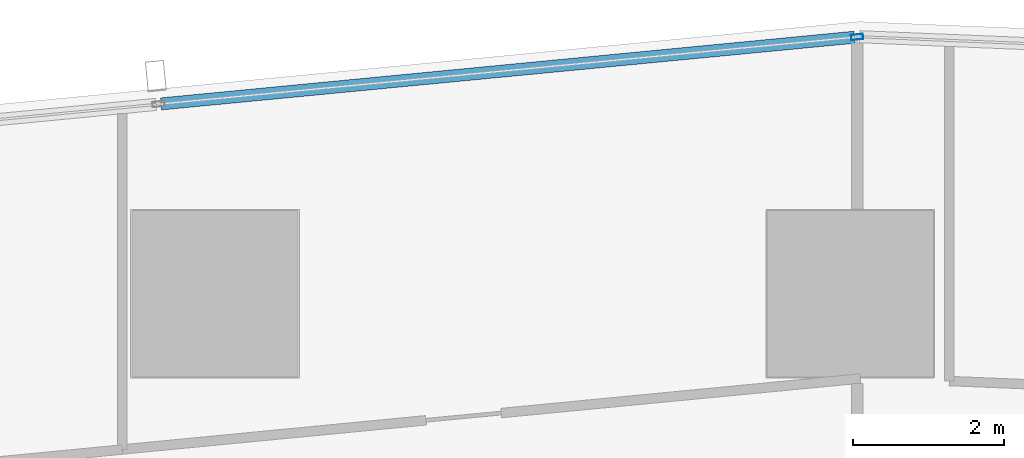
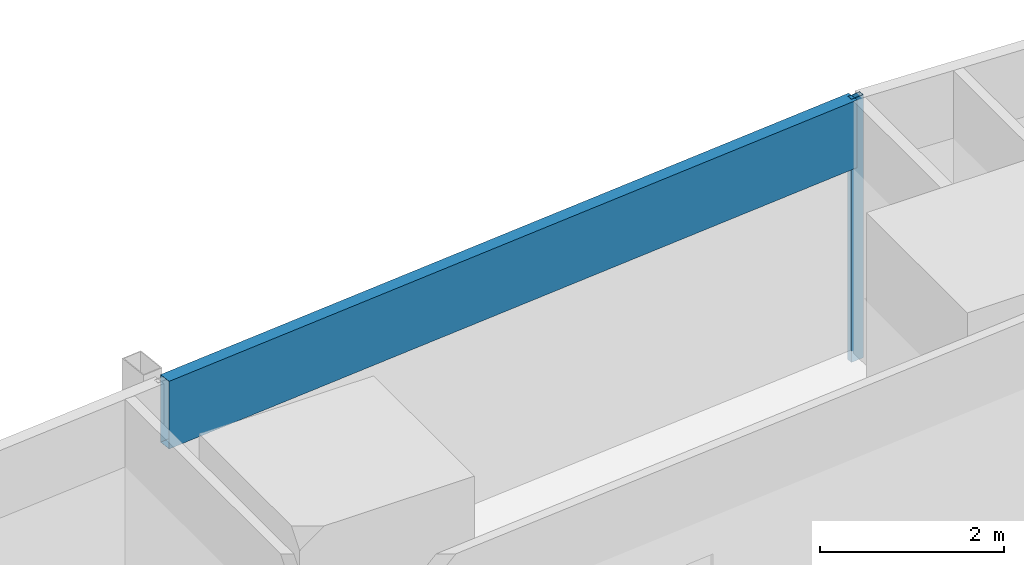
# One storey, part 17 of 45: 2 members, 1 element without a shape of its own.
"""IFC4 building model written with IfcOpenShell, lengths in metres."""

import ifcopenshell
import ifcopenshell.guid

model = None  # the IFC model being written
_history = None  # IfcOwnerHistory: only IFC2X3 demands one
_inside = {}  # id of a spatial element -> (the spatial element, [elements in it])
_under = {}  # id of a project, library or spatial element -> (it, [spatial elements below it])
_declared = {}  # id of a project -> (the project, [libraries it declares])
_typed = {}  # id of a type object -> (the type object, [elements of that type])
_made_of = {}  # id of a material, layer set ... -> (it, [elements and type objects made of it])


def new_model(schema):
    """Start an empty IFC model of exactly this schema.

    Asked for "IFC4X3", IfcOpenShell would pick the latest addendum, in which some entities
    have other attributes; the version numbers below select the first issue.
    IFC2X3 requires an IfcOwnerHistory on every rooted entity: one is made here for all.
    """
    global model, _history
    if schema == "IFC4X3":
        model = ifcopenshell.file(schema_version=(4, 3, 0, 0))
    else:
        model = ifcopenshell.file(schema=schema)
    _inside.clear()
    _under.clear()
    _declared.clear()
    _typed.clear()
    _made_of.clear()
    _history = None
    if model.schema == "IFC2X3":
        org = make("IfcOrganization", Name="unknown")
        user = make(
            "IfcPersonAndOrganization",
            ThePerson=make("IfcPerson", FamilyName="unknown"),
            TheOrganization=org,
        )
        app = make(
            "IfcApplication",
            ApplicationDeveloper=org,
            Version="unknown",
            ApplicationFullName="unknown",
            ApplicationIdentifier="unknown",
        )
        _history = make(
            "IfcOwnerHistory",
            OwningUser=user,
            OwningApplication=app,
            ChangeAction="ADDED",
            CreationDate=0,
        )
    return model


def make(cls, **values):
    """One entity of the class cls with the attributes given. An attribute that is None is left unset."""
    return model.create_entity(
        cls, **{name: value for name, value in values.items() if value is not None}
    )


def rooted(cls, **values):
    """An entity with a GlobalId (a new one), such as an element, a storey or a relation."""
    return make(cls, GlobalId=ifcopenshell.guid.new(), OwnerHistory=_history, **values)


def si_unit(unit_type, name, prefix=None):
    """IfcSIUnit, for example si_unit("LENGTHUNIT", "METRE", prefix="MILLI")."""
    return make("IfcSIUnit", UnitType=unit_type, Prefix=prefix, Name=name)


def assignment(units):
    """IfcUnitAssignment: the units of a project."""
    return None if units is None else make("IfcUnitAssignment", Units=units)


def point(xyz):
    """IfcCartesianPoint."""
    return None if xyz is None else make("IfcCartesianPoint", Coordinates=xyz)


def direction(xyz):
    """IfcDirection."""
    return None if xyz is None else make("IfcDirection", DirectionRatios=xyz)


def frame(location, z_axis=None, x_axis=None):
    """IfcAxis2Placement3D, a coordinate frame: its origin and axes. An axis left out is left unset."""
    return make(
        "IfcAxis2Placement3D",
        Location=point(location),
        Axis=direction(z_axis),
        RefDirection=direction(x_axis),
    )


def frame_2d(location, x_axis=None):
    """IfcAxis2Placement2D, a coordinate frame in the plane: its origin and x axis."""
    return make(
        "IfcAxis2Placement2D", Location=point(location), RefDirection=direction(x_axis)
    )


def origin():
    """The frame at (0, 0, 0) with its axes left unset."""
    return frame((0.0, 0.0, 0.0))


def origin_2d():
    """The frame at (0, 0) in the plane with its x axis left unset."""
    return frame_2d((0.0, 0.0))


def place(relative_to, where):
    """IfcLocalPlacement: puts the frame where relative to a parent placement (None: the world)."""
    return make(
        "IfcLocalPlacement", PlacementRelTo=relative_to, RelativePlacement=where
    )


def context(
    kind, dimensions, precision=None, world=None, true_north=None, identifier=None
):
    """IfcGeometricRepresentationContext, for example the 3D "Model" context."""
    return make(
        "IfcGeometricRepresentationContext",
        ContextIdentifier=identifier,
        ContextType=kind,
        CoordinateSpaceDimension=dimensions,
        Precision=precision,
        WorldCoordinateSystem=world,
        TrueNorth=true_north,
    )


def subcontext(parent, identifier, kind, view, scale=None):
    """IfcGeometricRepresentationSubContext, for example "Body" below "Model"."""
    return make(
        "IfcGeometricRepresentationSubContext",
        ContextIdentifier=identifier,
        ContextType=kind,
        ParentContext=parent,
        TargetScale=scale,
        TargetView=view,
    )


def project(units=None, contexts=None):
    """IfcProject with its units and contexts."""
    return rooted(
        "IfcProject",
        Name="project",
        RepresentationContexts=contexts,
        UnitsInContext=assignment(units),
    )


def spatial(cls, under=None, at=None, **own):
    """A site, building, storey or space (cls), placed at a placement, below another one or the project."""
    s = rooted(cls, ObjectPlacement=at, **own)
    if under is not None:
        _under.setdefault(under.id(), (under, []))[1].append(s)
    return s


def profile(cls, at=None, kind="AREA", **sizes):
    """A parametric profile (cls). Its sizes go by their IFC names, for example OverallWidth=200.0."""
    return make(cls, ProfileType=kind, Position=at, **sizes)


def hollow_rectangle(**sizes):
    """IfcRectangleHollowProfileDef."""
    return profile("IfcRectangleHollowProfileDef", **sizes)


def extrude(swept, where, along, depth):
    """IfcExtrudedAreaSolid: the profile swept, set in the frame where, extruded along a direction by depth."""
    return make(
        "IfcExtrudedAreaSolid",
        SweptArea=swept,
        Position=where,
        ExtrudedDirection=direction(along),
        Depth=depth,
    )


def shape(context_of_items, identifier, shape_type, items):
    """IfcShapeRepresentation: the items that make up one representation, for example the "Body"."""
    return make(
        "IfcShapeRepresentation",
        ContextOfItems=context_of_items,
        RepresentationIdentifier=identifier,
        RepresentationType=shape_type,
        Items=items,
    )


def material(Name=None, Category=None):
    """IfcMaterial."""
    return make("IfcMaterial", Name=Name, Category=Category)


def material_profile(
    of_material, cross_section, Name=None, Category=None, Priority=None
):
    """IfcMaterialProfile: a cross section and its material."""
    return make(
        "IfcMaterialProfile",
        Name=Name,
        Material=of_material,
        Profile=cross_section,
        Priority=Priority,
        Category=Category,
    )


def profile_set(profiles, Name=None, composite=None):
    """IfcMaterialProfileSet."""
    return make(
        "IfcMaterialProfileSet",
        Name=Name,
        MaterialProfiles=profiles,
        CompositeProfile=composite,
    )


def made_of(thing, what):
    """Note that an element or type object is made of a material, layer set ...; save() writes the relation."""
    if what is not None:
        _made_of.setdefault(what.id(), (what, []))[1].append(thing)
    return thing


def type_object(cls, material=None, **own):
    """A type object (cls), such as IfcWallType, which elements share."""
    return made_of(rooted(cls, **own), material)


def element(
    cls,
    number,
    at=None,
    inside=None,
    cuts=None,
    type_object=None,
    material=None,
    context=None,
    identifier="Body",
    shape_type=None,
    held_by="IfcProductDefinitionShape",
    body=None,
    shapes=None,
    **own,
):
    """One element of the class cls, such as IfcWall. Its Tag is "e" and its number.

    at: its placement. inside: the storey or other place that contains it. cuts: it is an
    opening in that element (IfcRelVoidsElement). A single representation is given by context,
    identifier, shape_type and body (its items); several are given by shapes. held_by: the class
    of the entity that holds the representations. save() writes the other relations.
    """
    e = rooted(cls, Tag="e%d" % number, ObjectPlacement=at, **own)
    if body is not None:
        shapes = [shape(context, identifier, shape_type, body)]
    if shapes is not None:
        e.Representation = make(held_by, Representations=shapes)
    if inside is not None:
        _inside.setdefault(inside.id(), (inside, []))[1].append(e)
    if cuts is not None:
        rooted(
            "IfcRelVoidsElement", RelatingBuildingElement=cuts, RelatedOpeningElement=e
        )
    if type_object is not None:
        _typed.setdefault(type_object.id(), (type_object, []))[1].append(e)
    return made_of(e, material)


def aggregate(whole, parts):
    """IfcRelAggregates: a whole, such as a stair, and the parts it consists of."""
    return rooted("IfcRelAggregates", RelatingObject=whole, RelatedObjects=parts)


def save(model, path):
    """Write the relations noted so far, then the file.

    IfcRelAggregates (storeys below a building ...), IfcRelContainedInSpatialStructure (elements
    in a storey), IfcRelDefinesByType, IfcRelAssociatesMaterial and IfcRelDeclares: one each for
    every whole, place, type object, material and project.
    """
    for whole, parts in _under.values():
        aggregate(whole, parts)
    for where, things in _inside.values():
        rooted(
            "IfcRelContainedInSpatialStructure",
            RelatedElements=things,
            RelatingStructure=where,
        )
    for kind, things in _typed.values():
        rooted("IfcRelDefinesByType", RelatedObjects=things, RelatingType=kind)
    for what, things in _made_of.values():
        rooted("IfcRelAssociatesMaterial", RelatedObjects=things, RelatingMaterial=what)
    for by, libraries in _declared.values():
        rooted("IfcRelDeclares", RelatingContext=by, RelatedDefinitions=libraries)
    model.write(path)


model = new_model("IFC4")

# Units and contexts
model_context = context("Model", 3, precision=1e-05, world=origin(), true_north=direction((0.0, 1.0)))
body_context = subcontext(model_context, "Body", "Model", "MODEL_VIEW")
ifc_project = project(units=[si_unit("LENGTHUNIT", "METRE"), si_unit("AREAUNIT", "SQUARE_METRE"), si_unit("VOLUMEUNIT", "CUBIC_METRE"), si_unit("PLANEANGLEUNIT", "RADIAN"), si_unit("MASSUNIT", "GRAM", prefix="KILO")], contexts=[model_context])

# Site, building, storey
site_placement = place(None, origin())
site = spatial("IfcSite", under=ifc_project, at=site_placement, CompositionType="ELEMENT")
building_placement = place(site_placement, origin())
building = spatial("IfcBuilding", under=site, at=building_placement, Name="Rekha Terrace Tower", CompositionType="ELEMENT")
storey_placement = place(building_placement, frame((0.0, 0.0, 36.64990234375)))
storey = spatial("IfcBuildingStorey", under=building, at=storey_placement, Name="L08", CompositionType="ELEMENT", Elevation=36.64990234375)

# Curtain wall, members
ifc_material_1 = material(Name="Aluminium framing", Category="aluminium")
curtain_wall_type = type_object("IfcCurtainWallType", Name="CW3 north unitised glazing", PredefinedType="USERDEFINED", material=ifc_material_1)
curtain_wall_placement = place(storey_placement, origin())
curtain_wall = element("IfcCurtainWall", 1, at=curtain_wall_placement, inside=storey, type_object=curtain_wall_type, Name="CW3 unitised curtain wall", ObjectType="UNITISED CURTAIN WALL", PredefinedType="USERDEFINED")
ifc_material_2 = material(Name="Aluminium mullion section", Category="aluminium")
ifc_material_profile_1 = material_profile(ifc_material_2, hollow_rectangle(XDim=0.070068359375, YDim=0.159912109375, WallThickness=0.00390625, at=origin_2d()), Name="AL RHS 70x160")
ifc_profile_set_1 = profile_set([ifc_material_profile_1], Name="Aluminium mullion section")
member_type_1 = type_object("IfcMemberType", Name="CW3 mullion RHS 70 x 160", PredefinedType="MULLION", material=ifc_profile_set_1)
member_1_placement = place(storey_placement, frame((25.29052734375, 62.1962890625, 0.0), z_axis=(0.0, 0.0, 1.0), x_axis=(0.095712406625, -0.995409029102, 0.0)))
member_1 = element("IfcMember", 2, at=member_1_placement, type_object=member_type_1, Name="CW3 mullion 1", PredefinedType="MULLION", context=body_context, shape_type="SweptSolid", body=[
    extrude(hollow_rectangle(XDim=0.070068359375, YDim=0.159912109375, WallThickness=0.00390625, at=origin_2d()), origin(), (0.0, 0.0, 1.0), 3.5),
])
ifc_material_3 = material(Name="Insulated aluminium spandrel box", Category="aluminium")
ifc_material_profile_2 = material_profile(ifc_material_3, hollow_rectangle(XDim=0.159912109375, YDim=0.89990234375, WallThickness=0.0029296875, at=origin_2d()), Name="AL SPANDREL BOX 160x900")
ifc_profile_set_2 = profile_set([ifc_material_profile_2], Name="Insulated aluminium spandrel box")
member_type_2 = type_object("IfcMemberType", Name="CW3 spandrel transom 160 x 900", PredefinedType="USERDEFINED", material=ifc_profile_set_2)
member_2_placement = place(storey_placement, frame((25.255859375, 62.19287109375, 3.050048828125), z_axis=(-0.995408446287, -0.095718467713, 0.0), x_axis=(0.095718467713, -0.995408446287, 0.0)))
member_2 = element("IfcMember", 3, at=member_2_placement, type_object=member_type_2, Name="CW3 spandrel transom 1", ObjectType="TRANSOM", PredefinedType="USERDEFINED", context=body_context, shape_type="SweptSolid", body=[
    extrude(hollow_rectangle(XDim=0.159912109375, YDim=0.89990234375, WallThickness=0.0029296875, at=origin_2d()), origin(), (0.0, 0.0, 1.0), 9.210205078125),
])
aggregate(curtain_wall, [member_1, member_2])

save(model, "model.ifc")
